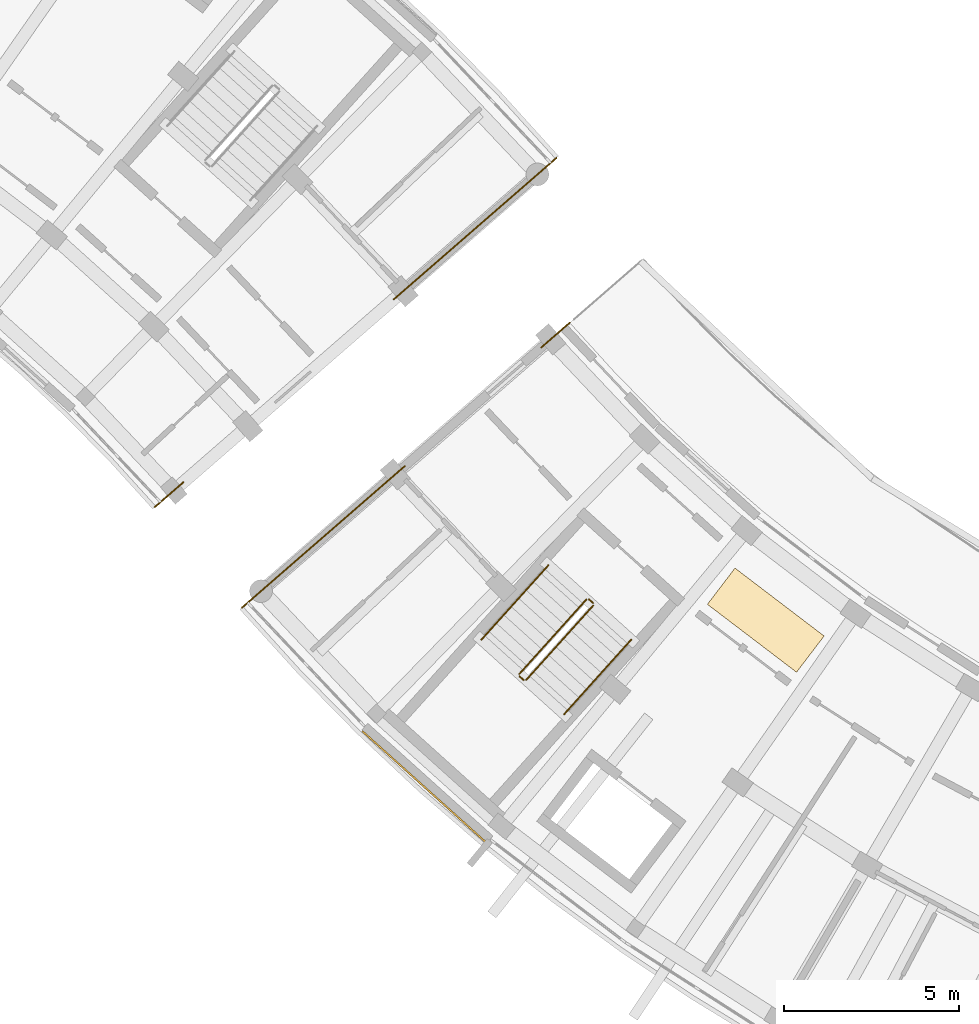
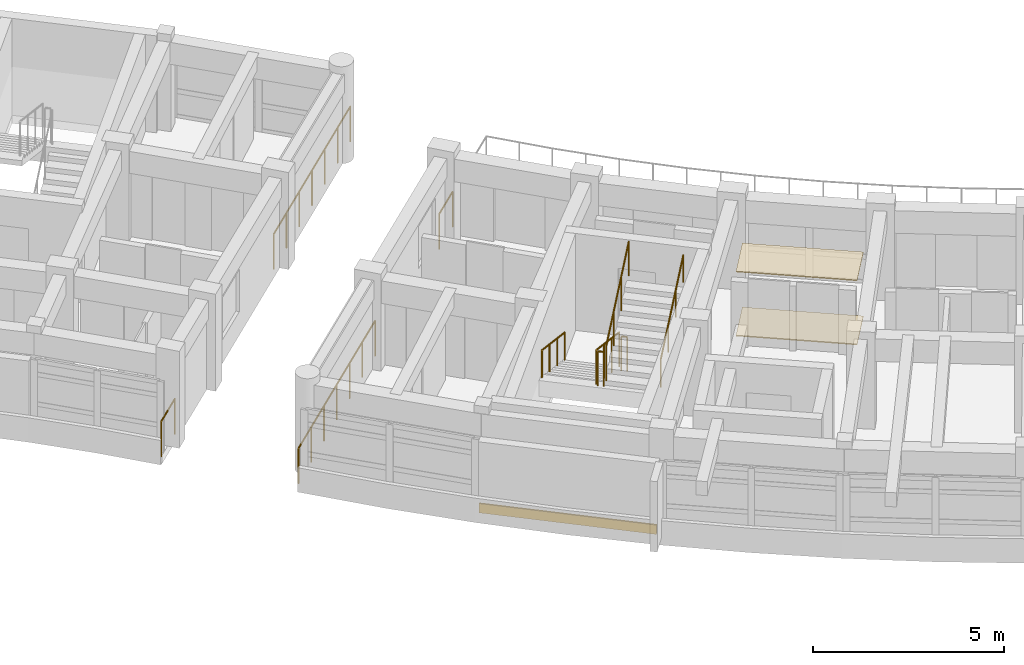
# One storey, part 47 of 54: 10 railings, 3 coverings.
"""IFC4 building model written with IfcOpenShell, lengths in metres."""

import ifcopenshell
import ifcopenshell.guid

model = None  # the IFC model being written
_history = None  # IfcOwnerHistory: only IFC2X3 demands one
_inside = {}  # id of a spatial element -> (the spatial element, [elements in it])
_under = {}  # id of a project, library or spatial element -> (it, [spatial elements below it])
_declared = {}  # id of a project -> (the project, [libraries it declares])
_typed = {}  # id of a type object -> (the type object, [elements of that type])
_made_of = {}  # id of a material, layer set ... -> (it, [elements and type objects made of it])


def new_model(schema):
    """Start an empty IFC model of exactly this schema.

    Asked for "IFC4X3", IfcOpenShell would pick the latest addendum, in which some entities
    have other attributes; the version numbers below select the first issue.
    IFC2X3 requires an IfcOwnerHistory on every rooted entity: one is made here for all.
    """
    global model, _history
    if schema == "IFC4X3":
        model = ifcopenshell.file(schema_version=(4, 3, 0, 0))
    else:
        model = ifcopenshell.file(schema=schema)
    _inside.clear()
    _under.clear()
    _declared.clear()
    _typed.clear()
    _made_of.clear()
    _history = None
    if model.schema == "IFC2X3":
        org = make("IfcOrganization", Name="unknown")
        user = make(
            "IfcPersonAndOrganization",
            ThePerson=make("IfcPerson", FamilyName="unknown"),
            TheOrganization=org,
        )
        app = make(
            "IfcApplication",
            ApplicationDeveloper=org,
            Version="unknown",
            ApplicationFullName="unknown",
            ApplicationIdentifier="unknown",
        )
        _history = make(
            "IfcOwnerHistory",
            OwningUser=user,
            OwningApplication=app,
            ChangeAction="ADDED",
            CreationDate=0,
        )
    return model


def make(cls, **values):
    """One entity of the class cls with the attributes given. An attribute that is None is left unset."""
    return model.create_entity(
        cls, **{name: value for name, value in values.items() if value is not None}
    )


def rooted(cls, **values):
    """An entity with a GlobalId (a new one), such as an element, a storey or a relation."""
    return make(cls, GlobalId=ifcopenshell.guid.new(), OwnerHistory=_history, **values)


def si_unit(unit_type, name, prefix=None):
    """IfcSIUnit, for example si_unit("LENGTHUNIT", "METRE", prefix="MILLI")."""
    return make("IfcSIUnit", UnitType=unit_type, Prefix=prefix, Name=name)


def assignment(units):
    """IfcUnitAssignment: the units of a project."""
    return None if units is None else make("IfcUnitAssignment", Units=units)


def point(xyz):
    """IfcCartesianPoint."""
    return None if xyz is None else make("IfcCartesianPoint", Coordinates=xyz)


def direction(xyz):
    """IfcDirection."""
    return None if xyz is None else make("IfcDirection", DirectionRatios=xyz)


def frame(location, z_axis=None, x_axis=None):
    """IfcAxis2Placement3D, a coordinate frame: its origin and axes. An axis left out is left unset."""
    return make(
        "IfcAxis2Placement3D",
        Location=point(location),
        Axis=direction(z_axis),
        RefDirection=direction(x_axis),
    )


def frame_2d(location, x_axis=None):
    """IfcAxis2Placement2D, a coordinate frame in the plane: its origin and x axis."""
    return make(
        "IfcAxis2Placement2D", Location=point(location), RefDirection=direction(x_axis)
    )


def origin():
    """The frame at (0, 0, 0) with its axes left unset."""
    return frame((0.0, 0.0, 0.0))


def origin_2d():
    """The frame at (0, 0) in the plane with its x axis left unset."""
    return frame_2d((0.0, 0.0))


def place(relative_to, where):
    """IfcLocalPlacement: puts the frame where relative to a parent placement (None: the world)."""
    return make(
        "IfcLocalPlacement", PlacementRelTo=relative_to, RelativePlacement=where
    )


def context(
    kind, dimensions, precision=None, world=None, true_north=None, identifier=None
):
    """IfcGeometricRepresentationContext, for example the 3D "Model" context."""
    return make(
        "IfcGeometricRepresentationContext",
        ContextIdentifier=identifier,
        ContextType=kind,
        CoordinateSpaceDimension=dimensions,
        Precision=precision,
        WorldCoordinateSystem=world,
        TrueNorth=true_north,
    )


def subcontext(parent, identifier, kind, view, scale=None):
    """IfcGeometricRepresentationSubContext, for example "Body" below "Model"."""
    return make(
        "IfcGeometricRepresentationSubContext",
        ContextIdentifier=identifier,
        ContextType=kind,
        ParentContext=parent,
        TargetScale=scale,
        TargetView=view,
    )


def project(units=None, contexts=None):
    """IfcProject with its units and contexts."""
    return rooted(
        "IfcProject",
        Name="project",
        RepresentationContexts=contexts,
        UnitsInContext=assignment(units),
    )


def spatial(cls, under=None, at=None, **own):
    """A site, building, storey or space (cls), placed at a placement, below another one or the project."""
    s = rooted(cls, ObjectPlacement=at, **own)
    if under is not None:
        _under.setdefault(under.id(), (under, []))[1].append(s)
    return s


def profile(cls, at=None, kind="AREA", **sizes):
    """A parametric profile (cls). Its sizes go by their IFC names, for example OverallWidth=200.0."""
    return make(cls, ProfileType=kind, Position=at, **sizes)


def rectangle(**sizes):
    """IfcRectangleProfileDef."""
    return profile("IfcRectangleProfileDef", **sizes)


def circle(**sizes):
    """IfcCircleProfileDef."""
    return profile("IfcCircleProfileDef", **sizes)


def extrude(swept, where, along, depth):
    """IfcExtrudedAreaSolid: the profile swept, set in the frame where, extruded along a direction by depth."""
    return make(
        "IfcExtrudedAreaSolid",
        SweptArea=swept,
        Position=where,
        ExtrudedDirection=direction(along),
        Depth=depth,
    )


def shape(context_of_items, identifier, shape_type, items):
    """IfcShapeRepresentation: the items that make up one representation, for example the "Body"."""
    return make(
        "IfcShapeRepresentation",
        ContextOfItems=context_of_items,
        RepresentationIdentifier=identifier,
        RepresentationType=shape_type,
        Items=items,
    )


def material(Name=None, Category=None):
    """IfcMaterial."""
    return make("IfcMaterial", Name=Name, Category=Category)


def layer(
    of_material, thickness, ventilated=None, Name=None, Category=None, Priority=None
):
    """IfcMaterialLayer: one layer of a wall or slab, of a material (None: an air gap)."""
    return make(
        "IfcMaterialLayer",
        Material=of_material,
        LayerThickness=thickness,
        IsVentilated=ventilated,
        Name=Name,
        Category=Category,
        Priority=Priority,
    )


def layer_set(layers, Name=None):
    """IfcMaterialLayerSet."""
    return make("IfcMaterialLayerSet", MaterialLayers=layers, LayerSetName=Name)


def made_of(thing, what):
    """Note that an element or type object is made of a material, layer set ...; save() writes the relation."""
    if what is not None:
        _made_of.setdefault(what.id(), (what, []))[1].append(thing)
    return thing


def type_object(cls, material=None, **own):
    """A type object (cls), such as IfcWallType, which elements share."""
    return made_of(rooted(cls, **own), material)


def element(
    cls,
    number,
    at=None,
    inside=None,
    cuts=None,
    type_object=None,
    material=None,
    context=None,
    identifier="Body",
    shape_type=None,
    held_by="IfcProductDefinitionShape",
    body=None,
    shapes=None,
    **own,
):
    """One element of the class cls, such as IfcWall. Its Tag is "e" and its number.

    at: its placement. inside: the storey or other place that contains it. cuts: it is an
    opening in that element (IfcRelVoidsElement). A single representation is given by context,
    identifier, shape_type and body (its items); several are given by shapes. held_by: the class
    of the entity that holds the representations. save() writes the other relations.
    """
    e = rooted(cls, Tag="e%d" % number, ObjectPlacement=at, **own)
    if body is not None:
        shapes = [shape(context, identifier, shape_type, body)]
    if shapes is not None:
        e.Representation = make(held_by, Representations=shapes)
    if inside is not None:
        _inside.setdefault(inside.id(), (inside, []))[1].append(e)
    if cuts is not None:
        rooted(
            "IfcRelVoidsElement", RelatingBuildingElement=cuts, RelatedOpeningElement=e
        )
    if type_object is not None:
        _typed.setdefault(type_object.id(), (type_object, []))[1].append(e)
    return made_of(e, material)


def aggregate(whole, parts):
    """IfcRelAggregates: a whole, such as a stair, and the parts it consists of."""
    return rooted("IfcRelAggregates", RelatingObject=whole, RelatedObjects=parts)


def save(model, path):
    """Write the relations noted so far, then the file.

    IfcRelAggregates (storeys below a building ...), IfcRelContainedInSpatialStructure (elements
    in a storey), IfcRelDefinesByType, IfcRelAssociatesMaterial and IfcRelDeclares: one each for
    every whole, place, type object, material and project.
    """
    for whole, parts in _under.values():
        aggregate(whole, parts)
    for where, things in _inside.values():
        rooted(
            "IfcRelContainedInSpatialStructure",
            RelatedElements=things,
            RelatingStructure=where,
        )
    for kind, things in _typed.values():
        rooted("IfcRelDefinesByType", RelatedObjects=things, RelatingType=kind)
    for what, things in _made_of.values():
        rooted("IfcRelAssociatesMaterial", RelatedObjects=things, RelatingMaterial=what)
    for by, libraries in _declared.values():
        rooted("IfcRelDeclares", RelatingContext=by, RelatedDefinitions=libraries)
    model.write(path)


model = new_model("IFC4")

# Units and contexts
model_context = context("Model", 3, precision=1e-05, world=origin(), true_north=direction((0.0, 1.0)))
body_context = subcontext(model_context, "Body", "Model", "MODEL_VIEW")
ifc_project = project(units=[si_unit("LENGTHUNIT", "METRE"), si_unit("AREAUNIT", "SQUARE_METRE"), si_unit("VOLUMEUNIT", "CUBIC_METRE"), si_unit("PLANEANGLEUNIT", "RADIAN"), si_unit("MASSUNIT", "GRAM", prefix="KILO")], contexts=[model_context])

# Site, building, storey
site_placement = place(None, origin())
site = spatial("IfcSite", under=ifc_project, at=site_placement, CompositionType="ELEMENT")
building_placement = place(site_placement, origin())
building = spatial("IfcBuilding", under=site, at=building_placement, Name="Zimvara Arc Housing Community", CompositionType="ELEMENT")
storey_placement = place(building_placement, frame((0.0, 0.0, 23.60009765625)))
storey = spatial("IfcBuildingStorey", under=building, at=storey_placement, Name="L07", CompositionType="ELEMENT", Elevation=23.60009765625)

# Coverings
ifc_material_1 = material(Name="Pale-Gold Anodised Aluminium Cladding", Category="aluminium")
ifc_layer_1 = layer(ifc_material_1, 0.044921875)
ifc_layer_set_1 = layer_set([ifc_layer_1], Name="Pale-Gold Anodised Aluminium Cladding")
covering_type_1 = type_object("IfcCoveringType", Name="CLD-GOLD-02", PredefinedType="CLADDING", material=ifc_layer_set_1)
covering_1_placement = place(storey_placement, frame((86.198974609375, 65.647705078125, 0.009765625), z_axis=(0.0, 0.0, 1.0), x_axis=(0.74337718344, -0.668872456557, 0.0)))
element("IfcCovering", 1, at=covering_1_placement, inside=storey, type_object=covering_type_1, Name="cld:blkC:L07:out:b1", PredefinedType="CLADDING", context=body_context, shape_type="SweptSolid", body=[
    extrude(rectangle(XDim=4.748779296875, YDim=0.044921875, at=origin_2d()), origin(), (0.0, 0.0, 1.0), 0.300048828125),
])
ifc_material_2 = material(Name="Perforated Acoustic Ceiling Board")
ifc_layer_2 = layer(ifc_material_2, 0.030029296875)
ifc_layer_set_2 = layer_set([ifc_layer_2], Name="Perforated Acoustic Ceiling Board")
covering_type_2 = type_object("IfcCoveringType", Name="COV-CEIL-04", PredefinedType="CEILING", material=ifc_layer_set_2)
covering_2_placement = place(storey_placement, frame((95.954833984375, 70.40087890625, 2.0498046875), z_axis=(0.0, 0.0, 1.0), x_axis=(-0.605988400266, -0.795473480855, 0.0)))
element("IfcCovering", 2, at=covering_2_placement, inside=storey, type_object=covering_type_2, Name="ceil:blkC:L07", PredefinedType="CEILING", context=body_context, shape_type="SweptSolid", body=[
    extrude(rectangle(XDim=1.300048828125, YDim=3.199951171875, at=origin_2d()), origin(), (0.0, 0.0, 1.0), 0.030029296875),
])
ifc_material_3 = material(Name="Polished Coastal Sand Terrazzo")
ifc_layer_3 = layer(ifc_material_3, 0.031982421875)
ifc_layer_set_3 = layer_set([ifc_layer_3], Name="Polished Coastal Sand Terrazzo")
covering_type_3 = type_object("IfcCoveringType", Name="COV-FLOR-04", PredefinedType="FLOORING", material=ifc_layer_set_3)
covering_3_placement = place(storey_placement, frame((95.954833984375, 70.40087890625, 0.0), z_axis=(0.0, 0.0, 1.0), x_axis=(-0.605988400266, -0.795473480855, 0.0)))
element("IfcCovering", 3, at=covering_3_placement, inside=storey, type_object=covering_type_3, Name="flor:blkC:L07", PredefinedType="FLOORING", context=body_context, shape_type="SweptSolid", body=[
    extrude(rectangle(XDim=1.300048828125, YDim=3.199951171875, at=origin_2d()), origin(), (0.0, 0.0, 1.0), 0.031982421875),
])

# Railings
ifc_material_4 = material(Name="Anodised Aluminium AW-6063", Category="aluminium")
railing_type_1 = type_object("IfcRailingType", Name="RLG-BAL-1120", PredefinedType="BALUSTRADE", material=ifc_material_4)
railing_1_placement = place(storey_placement, frame((90.83447265625, 70.993896484375, 0.15478515625)))
element("IfcRailing", 4, at=railing_1_placement, inside=storey, type_object=railing_type_1, Name="L07 ST-C1 stair guard 1", PredefinedType="BALUSTRADE", context=body_context, shape_type="SweptSolid", body=[
    extrude(circle(Radius=0.02392578125, at=origin_2d()), frame((0.0, 0.0, 1.09619140625), z_axis=(-0.601262536038, -0.668205807809, 0.438160200347), x_axis=(0.743362010683, -0.668889319, 0.0)), (0.0, 0.0, 1.0), 3.183837890625),
    extrude(circle(Radius=0.02099609375, at=origin_2d()), origin(), (0.0, 0.0, 1.0), 1.072021484375),
    extrude(circle(Radius=0.02099609375, at=origin_2d()), frame((-0.63818359375, -0.709228515625, 0.465087890625)), (0.0, 0.0, 1.0), 1.072021484375),
    extrude(circle(Radius=0.02099609375, at=origin_2d()), frame((-1.276123046875, -1.418212890625, 0.929931640625)), (0.0, 0.0, 1.0), 1.072021484375),
    extrude(circle(Radius=0.02099609375, at=origin_2d()), frame((-1.914306640625, -2.12744140625, 1.39501953125)), (0.0, 0.0, 1.0), 1.072021484375),
])
railing_2_placement = place(storey_placement, frame((88.923828125, 68.795654296875, 1.5498046875)))
element("IfcRailing", 5, at=railing_2_placement, inside=storey, type_object=railing_type_1, Name="L07 ST-C1 stair guard 2", PredefinedType="BALUSTRADE", context=body_context, shape_type="SweptSolid", body=[
    extrude(circle(Radius=0.02392578125, at=origin_2d()), frame((0.0, 0.0, 1.09619140625), z_axis=(0.744203407529, -0.667953058397, 0.0), x_axis=(0.667953058397, 0.744203407529, 0.0)), (0.0, 0.0, 1.0), 0.16015625),
    extrude(circle(Radius=0.02099609375, at=origin_2d()), origin(), (0.0, 0.0, 1.0), 1.072021484375),
    extrude(circle(Radius=0.02099609375, at=origin_2d()), frame((0.119140625, -0.10693359375, 0.0)), (0.0, 0.0, 1.0), 1.072021484375),
])
railing_3_placement = place(storey_placement, frame((89.113525390625, 68.6923828125, 1.704833984375)))
element("IfcRailing", 6, at=railing_3_placement, inside=storey, type_object=railing_type_1, Name="L07 ST-C1 stair guard 3", PredefinedType="BALUSTRADE", context=body_context, shape_type="SweptSolid", body=[
    extrude(circle(Radius=0.02392578125, at=origin_2d()), frame((0.0, 0.0, 1.09619140625), z_axis=(0.601231728384, 0.668248248038, 0.438137749775), x_axis=(-0.743400174344, 0.668846903847, 0.0)), (0.0, 0.0, 1.0), 3.18408203125),
    extrude(circle(Radius=0.02099609375, at=origin_2d()), origin(), (0.0, 0.0, 1.0), 1.072021484375),
    extrude(circle(Radius=0.02099609375, at=origin_2d()), frame((0.63818359375, 0.709228515625, 0.465087890625)), (0.0, 0.0, 1.0), 1.072021484375),
    extrude(circle(Radius=0.02099609375, at=origin_2d()), frame((1.276123046875, 1.41845703125, 0.929931640625)), (0.0, 0.0, 1.0), 1.072021484375),
    extrude(circle(Radius=0.02099609375, at=origin_2d()), frame((1.914306640625, 2.127685546875, 1.39501953125)), (0.0, 0.0, 1.0), 1.072021484375),
])
railing_4_placement = place(storey_placement, frame((90.905029296875, 70.99755859375, 0.0)))
element("IfcRailing", 7, at=railing_4_placement, inside=storey, type_object=railing_type_1, Name="L07 ST-C1 stair guard 4", PredefinedType="BALUSTRADE", context=body_context, shape_type="SweptSolid", body=[
    extrude(circle(Radius=0.02392578125, at=origin_2d()), frame((0.0, 0.0, 1.09619140625), z_axis=(0.744203407529, -0.667953058397, 0.0), x_axis=(0.667953058397, 0.744203407529, 0.0)), (0.0, 0.0, 1.0), 0.16015625),
    extrude(circle(Radius=0.02099609375, at=origin_2d()), origin(), (0.0, 0.0, 1.0), 1.072021484375),
    extrude(circle(Radius=0.02099609375, at=origin_2d()), frame((0.119140625, -0.10693359375, 0.0)), (0.0, 0.0, 1.0), 1.072021484375),
])
ifc_material_5 = material(Name="Anodised Aluminium AW-6063", Category="aluminium")
railing_type_2 = type_object("IfcRailingType", Name="RLG-BAL-1150", PredefinedType="BALUSTRADE", material=ifc_material_5)
railing_5_placement = place(storey_placement, frame((78.509033203125, 73.62890625, 0.0)))
element("IfcRailing", 8, at=railing_5_placement, inside=storey, type_object=railing_type_2, Name="rlg:blkB:L07:gable_in:gN", PredefinedType="BALUSTRADE", context=body_context, shape_type="SweptSolid", body=[
    extrude(circle(Radius=0.02392578125, at=origin_2d()), frame((0.0, 0.0, 1.1259765625), z_axis=(0.754659042762, 0.656117161167, 0.0), x_axis=(-0.656117161167, 0.754659042762, 0.0)), (0.0, 0.0, 1.0), 1.080322265625),
    extrude(circle(Radius=0.02099609375, at=origin_2d()), origin(), (0.0, 0.0, 1.0), 1.101806640625),
    extrude(circle(Radius=0.02099609375, at=origin_2d()), frame((0.815185546875, 0.708740234375, 0.0)), (0.0, 0.0, 1.0), 1.101806640625),
])
railing_6_placement = place(storey_placement, frame((85.331787109375, 79.559814453125, 0.0)))
element("IfcRailing", 9, at=railing_6_placement, inside=storey, type_object=railing_type_2, Name="rlg:blkB:L07:gable_out:gN", PredefinedType="BALUSTRADE", context=body_context, shape_type="SweptSolid", body=[
    extrude(circle(Radius=0.02392578125, at=origin_2d()), frame((0.0, 0.0, 1.1259765625), z_axis=(0.754708757217, 0.656059975749, 0.0), x_axis=(-0.656059975749, 0.754708757217, 0.0)), (0.0, 0.0, 1.0), 6.159912109375),
    extrude(circle(Radius=0.02099609375, at=origin_2d()), origin(), (0.0, 0.0, 1.0), 1.101806640625),
    extrude(circle(Radius=0.02099609375, at=origin_2d()), frame((0.77490234375, 0.673583984375, 0.0)), (0.0, 0.0, 1.0), 1.101806640625),
    extrude(circle(Radius=0.02099609375, at=origin_2d()), frame((1.549560546875, 1.34716796875, 0.0)), (0.0, 0.0, 1.0), 1.101806640625),
    extrude(circle(Radius=0.02099609375, at=origin_2d()), frame((2.324462890625, 2.0205078125, 0.0)), (0.0, 0.0, 1.0), 1.101806640625),
    extrude(circle(Radius=0.02099609375, at=origin_2d()), frame((3.099365234375, 2.694091796875, 0.0)), (0.0, 0.0, 1.0), 1.101806640625),
    extrude(circle(Radius=0.02099609375, at=origin_2d()), frame((3.8740234375, 3.36767578125, 0.0)), (0.0, 0.0, 1.0), 1.101806640625),
    extrude(circle(Radius=0.02099609375, at=origin_2d()), frame((4.64892578125, 4.041259765625, 0.0)), (0.0, 0.0, 1.0), 1.101806640625),
])
railing_7_placement = place(storey_placement, frame((90.357666015625, 78.89404296875, 0.0)))
element("IfcRailing", 10, at=railing_7_placement, inside=storey, type_object=railing_type_2, Name="rlg:blkC:L07:gable_in:g0", PredefinedType="BALUSTRADE", context=body_context, shape_type="SweptSolid", body=[
    extrude(circle(Radius=0.02392578125, at=origin_2d()), frame((0.0, 0.0, 1.1259765625), z_axis=(-0.754673660142, -0.656100348032, 0.0), x_axis=(0.656100348032, -0.754673660142, 0.0)), (0.0, 0.0, 1.0), 1.079833984375),
    extrude(circle(Radius=0.02099609375, at=origin_2d()), origin(), (0.0, 0.0, 1.0), 1.101806640625),
    extrude(circle(Radius=0.02099609375, at=origin_2d()), frame((-0.81494140625, -0.70849609375, 0.0)), (0.0, 0.0, 1.0), 1.101806640625),
])
railing_8_placement = place(storey_placement, frame((85.6484375, 74.80029296875, 0.0)))
element("IfcRailing", 11, at=railing_8_placement, inside=storey, type_object=railing_type_2, Name="rlg:blkC:L07:gable_out:g0", PredefinedType="BALUSTRADE", context=body_context, shape_type="SweptSolid", body=[
    extrude(circle(Radius=0.02392578125, at=origin_2d()), frame((0.0, 0.0, 1.1259765625), z_axis=(-0.754706192268, -0.656062926367, 0.0), x_axis=(0.656062926367, -0.754706192268, 0.0)), (0.0, 0.0, 1.0), 6.16015625),
    extrude(circle(Radius=0.02099609375, at=origin_2d()), origin(), (0.0, 0.0, 1.0), 1.101806640625),
    extrude(circle(Radius=0.02099609375, at=origin_2d()), frame((-0.77490234375, -0.673583984375, 0.0)), (0.0, 0.0, 1.0), 1.101806640625),
    extrude(circle(Radius=0.02099609375, at=origin_2d()), frame((-1.5498046875, -1.34716796875, 0.0)), (0.0, 0.0, 1.0), 1.101806640625),
    extrude(circle(Radius=0.02099609375, at=origin_2d()), frame((-2.32470703125, -2.020751953125, 0.0)), (0.0, 0.0, 1.0), 1.101806640625),
    extrude(circle(Radius=0.02099609375, at=origin_2d()), frame((-3.099365234375, -2.6943359375, 0.0)), (0.0, 0.0, 1.0), 1.101806640625),
    extrude(circle(Radius=0.02099609375, at=origin_2d()), frame((-3.874267578125, -3.367919921875, 0.0)), (0.0, 0.0, 1.0), 1.101806640625),
    extrude(circle(Radius=0.02099609375, at=origin_2d()), frame((-4.649169921875, -4.04150390625, 0.0)), (0.0, 0.0, 1.0), 1.101806640625),
])
ifc_material_6 = material(Name="Anodised Aluminium AW-6063", Category="aluminium")
railing_type_3 = type_object("IfcRailingType", Name="RLG-HND-900", PredefinedType="HANDRAIL", material=ifc_material_6)
railing_9_placement = place(storey_placement, frame((89.749267578125, 71.970458984375, 0.15478515625)))
element("IfcRailing", 12, at=railing_9_placement, inside=storey, type_object=railing_type_3, Name="L07 ST-C1 stair handrail 1", PredefinedType="HANDRAIL", context=body_context, shape_type="SweptSolid", body=[
    extrude(circle(Radius=0.02392578125, at=origin_2d()), frame((0.0, 0.0, 0.8759765625), z_axis=(-0.601262536038, -0.668205807809, 0.438160200347), x_axis=(0.743362010683, -0.668889319, 0.0)), (0.0, 0.0, 1.0), 3.183837890625),
    extrude(circle(Radius=0.02099609375, at=origin_2d()), origin(), (0.0, 0.0, 1.0), 0.851806640625),
    extrude(circle(Radius=0.02099609375, at=origin_2d()), frame((-0.63818359375, -0.709228515625, 0.465087890625)), (0.0, 0.0, 1.0), 0.851806640625),
    extrude(circle(Radius=0.02099609375, at=origin_2d()), frame((-1.276123046875, -1.418212890625, 0.929931640625)), (0.0, 0.0, 1.0), 0.851806640625),
    extrude(circle(Radius=0.02099609375, at=origin_2d()), frame((-1.914306640625, -2.12744140625, 1.39501953125)), (0.0, 0.0, 1.0), 0.851806640625),
])
railing_10_placement = place(storey_placement, frame((90.19873046875, 67.7158203125, 1.704833984375)))
element("IfcRailing", 13, at=railing_10_placement, inside=storey, type_object=railing_type_3, Name="L07 ST-C1 stair handrail 2", PredefinedType="HANDRAIL", context=body_context, shape_type="SweptSolid", body=[
    extrude(circle(Radius=0.02392578125, at=origin_2d()), frame((0.0, 0.0, 0.8759765625), z_axis=(0.601231728384, 0.668248248038, 0.438137749775), x_axis=(-0.743400174344, 0.668846903847, 0.0)), (0.0, 0.0, 1.0), 3.18408203125),
    extrude(circle(Radius=0.02099609375, at=origin_2d()), origin(), (0.0, 0.0, 1.0), 0.851806640625),
    extrude(circle(Radius=0.02099609375, at=origin_2d()), frame((0.63818359375, 0.709228515625, 0.465087890625)), (0.0, 0.0, 1.0), 0.851806640625),
    extrude(circle(Radius=0.02099609375, at=origin_2d()), frame((1.276123046875, 1.41845703125, 0.929931640625)), (0.0, 0.0, 1.0), 0.851806640625),
    extrude(circle(Radius=0.02099609375, at=origin_2d()), frame((1.914306640625, 2.127685546875, 1.39501953125)), (0.0, 0.0, 1.0), 0.851806640625),
])

save(model, "model.ifc")
